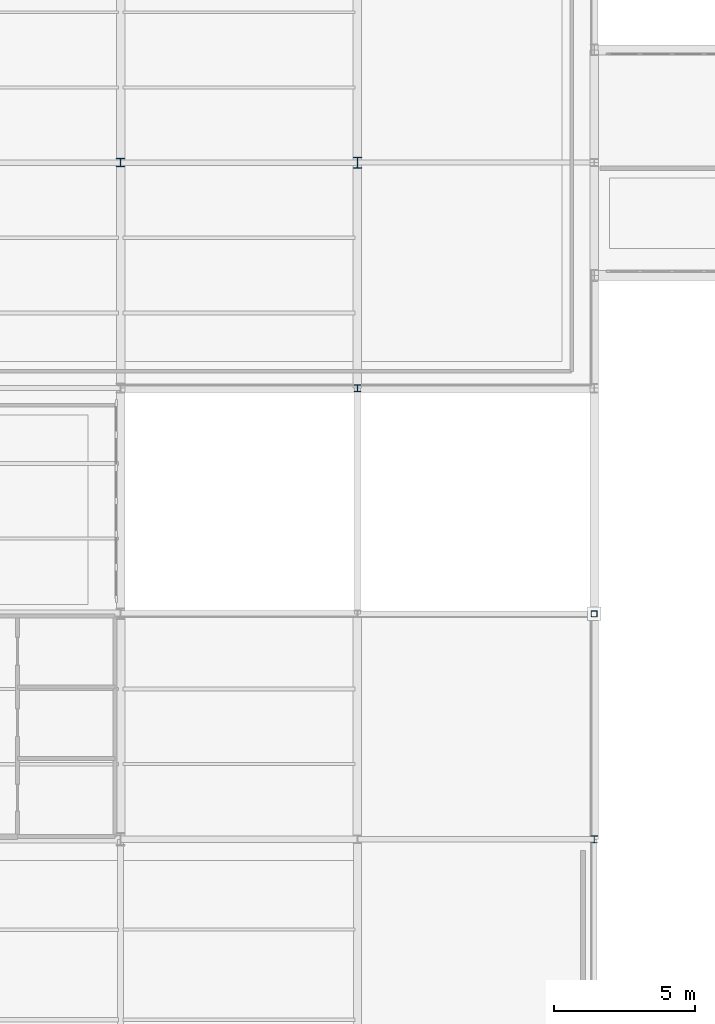
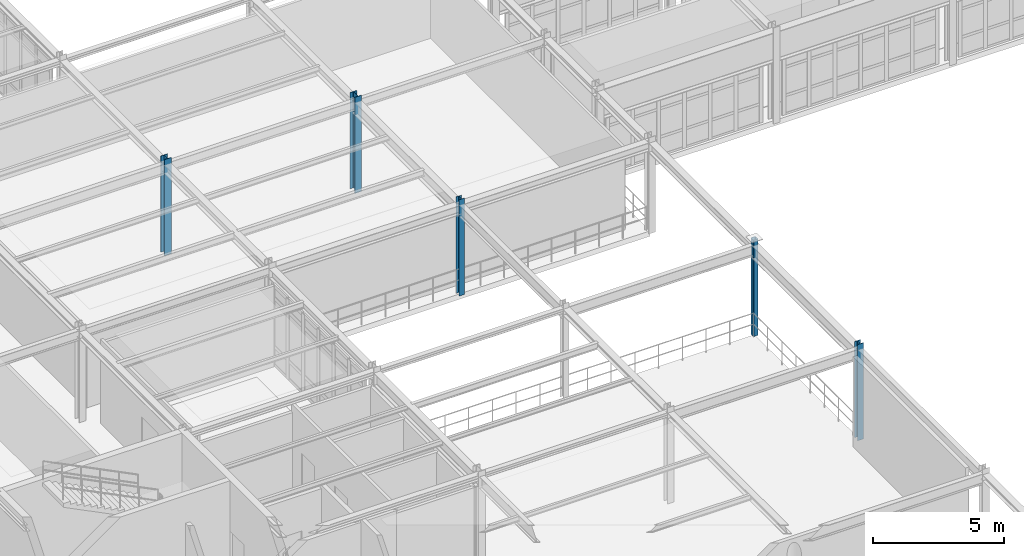
# One storey, part 6 of 106: 5 columns.
"""IFC4 building model written with IfcOpenShell, lengths in metres."""

from ifc_helpers import new_model, si_unit, derived_unit, direction, frame, origin, origin_2d, place, context, subcontext, project, spatial, hollow_rectangle, i_section, extrude, material, material_profile, profile_set, type_object, element, save


model = new_model("IFC4")

# Units and contexts
model_context = context("Model", 3, precision=1e-05, world=origin(), true_north=direction((0.0, 1.0)))
body_context = subcontext(model_context, "Body", "Model", "MODEL_VIEW")
ifc_project = project(units=[si_unit("LENGTHUNIT", "METRE"), si_unit("AREAUNIT", "SQUARE_METRE"), si_unit("VOLUMEUNIT", "CUBIC_METRE"), si_unit("PLANEANGLEUNIT", "RADIAN"), si_unit("MASSUNIT", "GRAM", prefix="KILO"), derived_unit("THERMALTRANSMITTANCEUNIT", [(si_unit("POWERUNIT", "WATT"), 1), (si_unit("AREAUNIT", "SQUARE_METRE"), -1), (si_unit("THERMODYNAMICTEMPERATUREUNIT", "KELVIN"), -1)])], contexts=[model_context])

# Site, building, storey
site_placement = place(None, origin())
site = spatial("IfcSite", under=ifc_project, at=site_placement, CompositionType="ELEMENT")
building_placement = place(site_placement, origin())
building = spatial("IfcBuilding", under=site, at=building_placement, Name="Yasenodar Specialist Clinic", CompositionType="ELEMENT")
storey_placement = place(building_placement, frame((0.0, 0.0, 4.5)))
storey = spatial("IfcBuildingStorey", under=building, at=storey_placement, Name="L01", CompositionType="ELEMENT", Elevation=4.5)

# Columns
ifc_material = material(Name="Steel S355", Category="steel")
ifc_material_profile_1 = material_profile(ifc_material, i_section(OverallWidth=0.260009765625, OverallDepth=0.25, WebThickness=0.007568359375, FlangeThickness=0.012451171875, FilletRadius=0.02392578125, at=origin_2d()), Name="HEA 260")
ifc_profile_set_1 = profile_set([ifc_material_profile_1], Name="Steel S355")
column_type_1 = type_object("IfcColumnType", Name="COL-ST-HEA260", PredefinedType="COLUMN", material=ifc_profile_set_1)
column_1_placement = place(storey_placement, frame((33.60009765625, 34.800048828125, 0.0), z_axis=(0.0, 0.0, 1.0), x_axis=(1.0, 0.0, 0.0)))
element("IfcColumn", 1, at=column_1_placement, inside=storey, type_object=column_type_1, Name="L01 Column V4-062", PredefinedType="COLUMN", context=body_context, shape_type="SweptSolid", body=[
    extrude(i_section(OverallWidth=0.260009765625, OverallDepth=0.25, WebThickness=0.007568359375, FlangeThickness=0.012451171875, FilletRadius=0.02392578125, at=origin_2d()), origin(), (0.0, 0.0, 1.0), 4.5),
])
ifc_material_profile_2 = material_profile(ifc_material, i_section(OverallWidth=0.300048828125, OverallDepth=0.389892578125, WebThickness=0.010986328125, FlangeThickness=0.01904296875, FilletRadius=0.027099609375, at=origin_2d()), Name="HEA 400")
ifc_profile_set_2 = profile_set([ifc_material_profile_2], Name="Steel S355")
column_type_2 = type_object("IfcColumnType", Name="COL-ST-HEA400", PredefinedType="COLUMN", material=ifc_profile_set_2)
column_2_placement = place(storey_placement, frame((25.199951171875, 58.800048828125, 0.0), z_axis=(0.0, 0.0, 1.0), x_axis=(1.0, 0.0, 0.0)))
element("IfcColumn", 2, at=column_2_placement, inside=storey, type_object=column_type_2, Name="L01 Column V4-053", PredefinedType="COLUMN", context=body_context, shape_type="SweptSolid", body=[
    extrude(i_section(OverallWidth=0.300048828125, OverallDepth=0.389892578125, WebThickness=0.010986328125, FlangeThickness=0.01904296875, FilletRadius=0.027099609375, at=origin_2d()), origin(), (0.0, 0.0, 1.0), 4.5),
])
ifc_material_profile_3 = material_profile(ifc_material, i_section(OverallWidth=0.239990234375, OverallDepth=0.239990234375, WebThickness=0.010009765625, FlangeThickness=0.01708984375, FilletRadius=0.02099609375, at=origin_2d()), Name="HEB 240")
ifc_profile_set_3 = profile_set([ifc_material_profile_3], Name="Steel S355")
column_type_3 = type_object("IfcColumnType", Name="COL-ST-HEB240", PredefinedType="COLUMN", material=ifc_profile_set_3)
column_3_placement = place(storey_placement, frame((25.199951171875, 50.800048828125, 0.0), z_axis=(0.0, 0.0, 1.0), x_axis=(1.0, 0.0, 0.0)))
element("IfcColumn", 3, at=column_3_placement, inside=storey, type_object=column_type_3, Name="L01 Column V4-052", PredefinedType="COLUMN", context=body_context, shape_type="SweptSolid", body=[
    extrude(i_section(OverallWidth=0.239990234375, OverallDepth=0.239990234375, WebThickness=0.010009765625, FlangeThickness=0.01708984375, FilletRadius=0.02099609375, at=origin_2d()), origin(), (0.0, 0.0, 1.0), 4.5),
])
ifc_material_profile_4 = material_profile(ifc_material, i_section(OverallWidth=0.300048828125, OverallDepth=0.300048828125, WebThickness=0.010986328125, FlangeThickness=0.01904296875, FilletRadius=0.027099609375, at=origin_2d()), Name="HEB 300")
ifc_profile_set_4 = profile_set([ifc_material_profile_4], Name="Steel S355")
column_type_4 = type_object("IfcColumnType", Name="COL-ST-HEB300", PredefinedType="COLUMN", material=ifc_profile_set_4)
column_4_placement = place(storey_placement, frame((16.800048828125, 58.800048828125, 0.0), z_axis=(0.0, 0.0, 1.0), x_axis=(1.0, 0.0, 0.0)))
element("IfcColumn", 4, at=column_4_placement, inside=storey, type_object=column_type_4, Name="L01 Column V4-038", PredefinedType="COLUMN", context=body_context, shape_type="SweptSolid", body=[
    extrude(i_section(OverallWidth=0.300048828125, OverallDepth=0.300048828125, WebThickness=0.010986328125, FlangeThickness=0.01904296875, FilletRadius=0.027099609375, at=origin_2d()), origin(), (0.0, 0.0, 1.0), 4.5),
])
ifc_material_profile_5 = material_profile(ifc_material, hollow_rectangle(XDim=0.219970703125, YDim=0.219970703125, WallThickness=0.012451171875, InnerFilletRadius=0.018798828125, OuterFilletRadius=0.03125, at=origin_2d()), Name="SHS 220x220x12.5")
ifc_profile_set_5 = profile_set([ifc_material_profile_5], Name="Steel S355")
column_type_5 = type_object("IfcColumnType", Name="COL-ST-SHS220", PredefinedType="COLUMN", material=ifc_profile_set_5)
column_5_placement = place(storey_placement, frame((33.60009765625, 42.800048828125, 0.0), z_axis=(0.0, 0.0, 1.0), x_axis=(1.0, 0.0, 0.0)))
element("IfcColumn", 5, at=column_5_placement, inside=storey, type_object=column_type_5, Name="L01 Column V4-063", PredefinedType="COLUMN", context=body_context, shape_type="SweptSolid", body=[
    extrude(hollow_rectangle(XDim=0.219970703125, YDim=0.219970703125, WallThickness=0.012451171875, InnerFilletRadius=0.018798828125, OuterFilletRadius=0.03125, at=origin_2d()), origin(), (0.0, 0.0, 1.0), 4.5),
])

save(model, "model.ifc")
